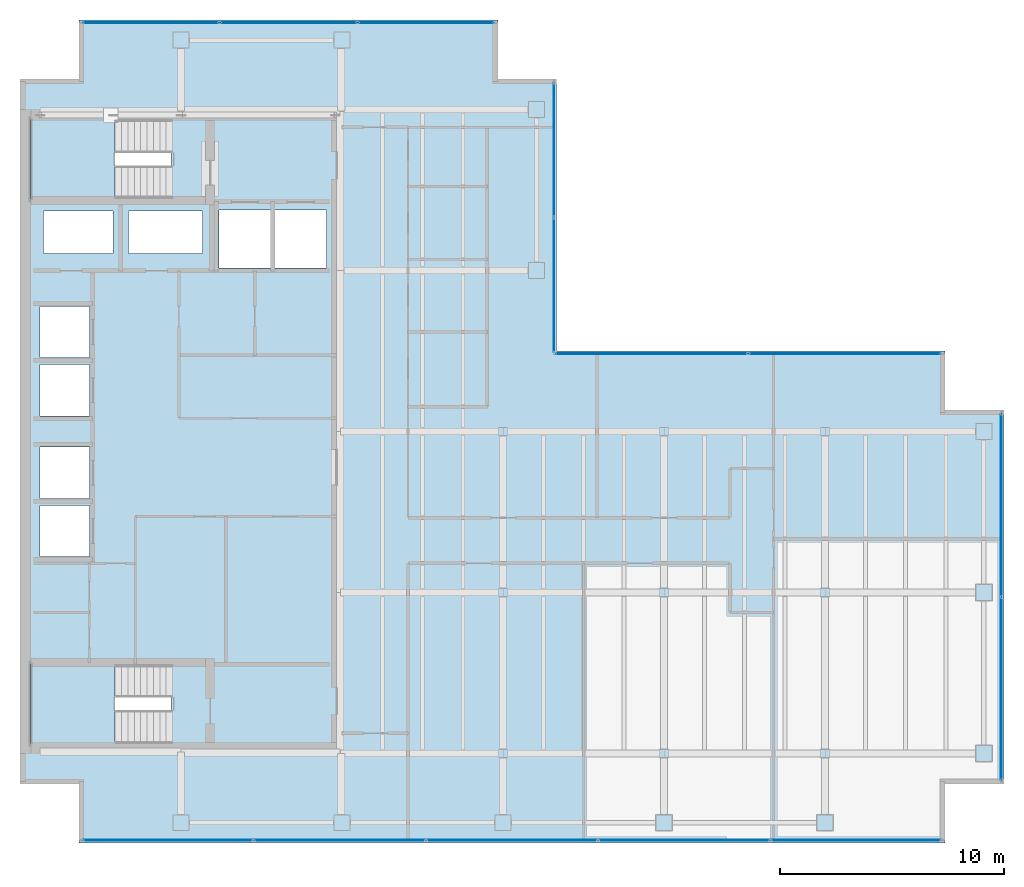
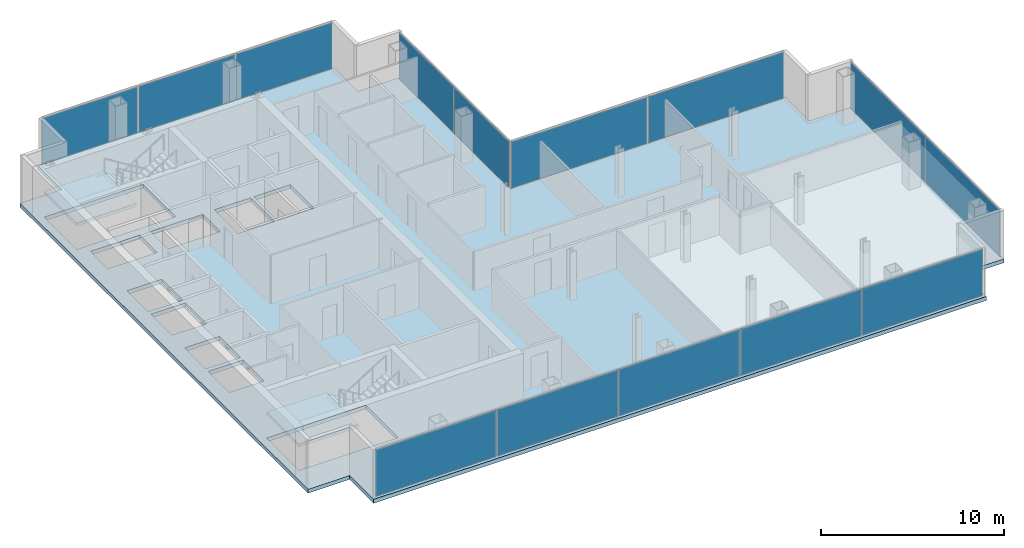
# One storey, part 19 of 23: 14 plates, 3 slabs, 10 openings, 7 elements without a shape of their own.
"""IFC4 building model written with IfcOpenShell, lengths in metres."""

import ifcopenshell
import ifcopenshell.guid

model = None  # the IFC model being written
_history = None  # IfcOwnerHistory: only IFC2X3 demands one
_inside = {}  # id of a spatial element -> (the spatial element, [elements in it])
_under = {}  # id of a project, library or spatial element -> (it, [spatial elements below it])
_declared = {}  # id of a project -> (the project, [libraries it declares])
_typed = {}  # id of a type object -> (the type object, [elements of that type])
_made_of = {}  # id of a material, layer set ... -> (it, [elements and type objects made of it])


def new_model(schema):
    """Start an empty IFC model of exactly this schema.

    Asked for "IFC4X3", IfcOpenShell would pick the latest addendum, in which some entities
    have other attributes; the version numbers below select the first issue.
    IFC2X3 requires an IfcOwnerHistory on every rooted entity: one is made here for all.
    """
    global model, _history
    if schema == "IFC4X3":
        model = ifcopenshell.file(schema_version=(4, 3, 0, 0))
    else:
        model = ifcopenshell.file(schema=schema)
    _inside.clear()
    _under.clear()
    _declared.clear()
    _typed.clear()
    _made_of.clear()
    _history = None
    if model.schema == "IFC2X3":
        org = make("IfcOrganization", Name="unknown")
        user = make(
            "IfcPersonAndOrganization",
            ThePerson=make("IfcPerson", FamilyName="unknown"),
            TheOrganization=org,
        )
        app = make(
            "IfcApplication",
            ApplicationDeveloper=org,
            Version="unknown",
            ApplicationFullName="unknown",
            ApplicationIdentifier="unknown",
        )
        _history = make(
            "IfcOwnerHistory",
            OwningUser=user,
            OwningApplication=app,
            ChangeAction="ADDED",
            CreationDate=0,
        )
    return model


def make(cls, **values):
    """One entity of the class cls with the attributes given. An attribute that is None is left unset."""
    return model.create_entity(
        cls, **{name: value for name, value in values.items() if value is not None}
    )


def rooted(cls, **values):
    """An entity with a GlobalId (a new one), such as an element, a storey or a relation."""
    return make(cls, GlobalId=ifcopenshell.guid.new(), OwnerHistory=_history, **values)


def si_unit(unit_type, name, prefix=None):
    """IfcSIUnit, for example si_unit("LENGTHUNIT", "METRE", prefix="MILLI")."""
    return make("IfcSIUnit", UnitType=unit_type, Prefix=prefix, Name=name)


def assignment(units):
    """IfcUnitAssignment: the units of a project."""
    return None if units is None else make("IfcUnitAssignment", Units=units)


def point(xyz):
    """IfcCartesianPoint."""
    return None if xyz is None else make("IfcCartesianPoint", Coordinates=xyz)


def direction(xyz):
    """IfcDirection."""
    return None if xyz is None else make("IfcDirection", DirectionRatios=xyz)


def frame(location, z_axis=None, x_axis=None):
    """IfcAxis2Placement3D, a coordinate frame: its origin and axes. An axis left out is left unset."""
    return make(
        "IfcAxis2Placement3D",
        Location=point(location),
        Axis=direction(z_axis),
        RefDirection=direction(x_axis),
    )


def frame_2d(location, x_axis=None):
    """IfcAxis2Placement2D, a coordinate frame in the plane: its origin and x axis."""
    return make(
        "IfcAxis2Placement2D", Location=point(location), RefDirection=direction(x_axis)
    )


def origin():
    """The frame at (0, 0, 0) with its axes left unset."""
    return frame((0.0, 0.0, 0.0))


def origin_2d():
    """The frame at (0, 0) in the plane with its x axis left unset."""
    return frame_2d((0.0, 0.0))


def place(relative_to, where):
    """IfcLocalPlacement: puts the frame where relative to a parent placement (None: the world)."""
    return make(
        "IfcLocalPlacement", PlacementRelTo=relative_to, RelativePlacement=where
    )


def context(
    kind, dimensions, precision=None, world=None, true_north=None, identifier=None
):
    """IfcGeometricRepresentationContext, for example the 3D "Model" context."""
    return make(
        "IfcGeometricRepresentationContext",
        ContextIdentifier=identifier,
        ContextType=kind,
        CoordinateSpaceDimension=dimensions,
        Precision=precision,
        WorldCoordinateSystem=world,
        TrueNorth=true_north,
    )


def subcontext(parent, identifier, kind, view, scale=None):
    """IfcGeometricRepresentationSubContext, for example "Body" below "Model"."""
    return make(
        "IfcGeometricRepresentationSubContext",
        ContextIdentifier=identifier,
        ContextType=kind,
        ParentContext=parent,
        TargetScale=scale,
        TargetView=view,
    )


def project(units=None, contexts=None):
    """IfcProject with its units and contexts."""
    return rooted(
        "IfcProject",
        Name="project",
        RepresentationContexts=contexts,
        UnitsInContext=assignment(units),
    )


def spatial(cls, under=None, at=None, **own):
    """A site, building, storey or space (cls), placed at a placement, below another one or the project."""
    s = rooted(cls, ObjectPlacement=at, **own)
    if under is not None:
        _under.setdefault(under.id(), (under, []))[1].append(s)
    return s


def polyline(points):
    """IfcPolyline through the points."""
    return make("IfcPolyline", Points=[point(p) for p in points])


def profile(cls, at=None, kind="AREA", **sizes):
    """A parametric profile (cls). Its sizes go by their IFC names, for example OverallWidth=200.0."""
    return make(cls, ProfileType=kind, Position=at, **sizes)


def rectangle(**sizes):
    """IfcRectangleProfileDef."""
    return profile("IfcRectangleProfileDef", **sizes)


def outline(outer, holes=None, kind="AREA"):
    """IfcArbitraryClosedProfileDef: a profile drawn as a closed curve; with holes, ...WithVoids."""
    if holes is None:
        return make("IfcArbitraryClosedProfileDef", ProfileType=kind, OuterCurve=outer)
    return make(
        "IfcArbitraryProfileDefWithVoids",
        ProfileType=kind,
        OuterCurve=outer,
        InnerCurves=holes,
    )


def extrude(swept, where, along, depth):
    """IfcExtrudedAreaSolid: the profile swept, set in the frame where, extruded along a direction by depth."""
    return make(
        "IfcExtrudedAreaSolid",
        SweptArea=swept,
        Position=where,
        ExtrudedDirection=direction(along),
        Depth=depth,
    )


def shape(context_of_items, identifier, shape_type, items):
    """IfcShapeRepresentation: the items that make up one representation, for example the "Body"."""
    return make(
        "IfcShapeRepresentation",
        ContextOfItems=context_of_items,
        RepresentationIdentifier=identifier,
        RepresentationType=shape_type,
        Items=items,
    )


def material(Name=None, Category=None):
    """IfcMaterial."""
    return make("IfcMaterial", Name=Name, Category=Category)


def layer(
    of_material, thickness, ventilated=None, Name=None, Category=None, Priority=None
):
    """IfcMaterialLayer: one layer of a wall or slab, of a material (None: an air gap)."""
    return make(
        "IfcMaterialLayer",
        Material=of_material,
        LayerThickness=thickness,
        IsVentilated=ventilated,
        Name=Name,
        Category=Category,
        Priority=Priority,
    )


def layer_set(layers, Name=None):
    """IfcMaterialLayerSet."""
    return make("IfcMaterialLayerSet", MaterialLayers=layers, LayerSetName=Name)


def made_of(thing, what):
    """Note that an element or type object is made of a material, layer set ...; save() writes the relation."""
    if what is not None:
        _made_of.setdefault(what.id(), (what, []))[1].append(thing)
    return thing


def type_object(cls, material=None, **own):
    """A type object (cls), such as IfcWallType, which elements share."""
    return made_of(rooted(cls, **own), material)


def element(
    cls,
    number,
    at=None,
    inside=None,
    cuts=None,
    type_object=None,
    material=None,
    context=None,
    identifier="Body",
    shape_type=None,
    held_by="IfcProductDefinitionShape",
    body=None,
    shapes=None,
    **own,
):
    """One element of the class cls, such as IfcWall. Its Tag is "e" and its number.

    at: its placement. inside: the storey or other place that contains it. cuts: it is an
    opening in that element (IfcRelVoidsElement). A single representation is given by context,
    identifier, shape_type and body (its items); several are given by shapes. held_by: the class
    of the entity that holds the representations. save() writes the other relations.
    """
    e = rooted(cls, Tag="e%d" % number, ObjectPlacement=at, **own)
    if body is not None:
        shapes = [shape(context, identifier, shape_type, body)]
    if shapes is not None:
        e.Representation = make(held_by, Representations=shapes)
    if inside is not None:
        _inside.setdefault(inside.id(), (inside, []))[1].append(e)
    if cuts is not None:
        rooted(
            "IfcRelVoidsElement", RelatingBuildingElement=cuts, RelatedOpeningElement=e
        )
    if type_object is not None:
        _typed.setdefault(type_object.id(), (type_object, []))[1].append(e)
    return made_of(e, material)


def aggregate(whole, parts):
    """IfcRelAggregates: a whole, such as a stair, and the parts it consists of."""
    return rooted("IfcRelAggregates", RelatingObject=whole, RelatedObjects=parts)


def save(model, path):
    """Write the relations noted so far, then the file.

    IfcRelAggregates (storeys below a building ...), IfcRelContainedInSpatialStructure (elements
    in a storey), IfcRelDefinesByType, IfcRelAssociatesMaterial and IfcRelDeclares: one each for
    every whole, place, type object, material and project.
    """
    for whole, parts in _under.values():
        aggregate(whole, parts)
    for where, things in _inside.values():
        rooted(
            "IfcRelContainedInSpatialStructure",
            RelatedElements=things,
            RelatingStructure=where,
        )
    for kind, things in _typed.values():
        rooted("IfcRelDefinesByType", RelatedObjects=things, RelatingType=kind)
    for what, things in _made_of.values():
        rooted("IfcRelAssociatesMaterial", RelatedObjects=things, RelatingMaterial=what)
    for by, libraries in _declared.values():
        rooted("IfcRelDeclares", RelatingContext=by, RelatedDefinitions=libraries)
    model.write(path)


model = new_model("IFC4")

# Units and contexts
model_context = context("Model", 3, precision=1e-05, world=origin(), true_north=direction((0.0, 1.0)))
body_context = subcontext(model_context, "Body", "Model", "MODEL_VIEW")
ifc_project = project(units=[si_unit("LENGTHUNIT", "METRE"), si_unit("AREAUNIT", "SQUARE_METRE"), si_unit("VOLUMEUNIT", "CUBIC_METRE"), si_unit("PLANEANGLEUNIT", "RADIAN"), si_unit("MASSUNIT", "GRAM", prefix="KILO")], contexts=[model_context])

# Site, building, storey
site_placement = place(None, origin())
site = spatial("IfcSite", under=ifc_project, at=site_placement, CompositionType="ELEMENT")
building_placement = place(site_placement, origin())
building = spatial("IfcBuilding", under=site, at=building_placement, Name="Cobrela Telecom Tower", CompositionType="ELEMENT")
storey_placement = place(building_placement, frame((0.0, 0.0, 208.25)))
storey = spatial("IfcBuildingStorey", under=building, at=storey_placement, Name="L53", CompositionType="ELEMENT", Elevation=208.25)

# Curtain wall, plates
ifc_material_1 = material(Name="Anodized Bronze Aluminium 6063-T6", Category="aluminium")
curtain_wall_type = type_object("IfcCurtainWallType", Name="CW-SYS-OFF-LO", PredefinedType="USERDEFINED", material=ifc_material_1)
curtain_wall_1_placement = place(storey_placement, origin())
curtain_wall_1 = element("IfcCurtainWall", 1, at=curtain_wall_1_placement, inside=storey, type_object=curtain_wall_type, Name="L53 Unitised Bronze Curtain Wall 07", ObjectType="UNITISED CURTAIN WALL", PredefinedType="USERDEFINED")
ifc_material_2 = material(Name="Solar-Control Bronze Low-E Glass", Category="glass")
ifc_layer_1 = layer(ifc_material_2, 0.031982421875)
ifc_layer_set_1 = layer_set([ifc_layer_1], Name="Solar-Control Bronze Low-E Glass")
plate_type = type_object("IfcPlateType", Name="CW-SYS-OFF-LO-PNL", PredefinedType="CURTAIN_PANEL", material=ifc_layer_set_1)
plate_1_placement = place(storey_placement, frame((5.850830078125, 39.8798828125, 0.070068359375), z_axis=(0.0, 0.0, 1.0), x_axis=(1.0, 0.0, 0.0)))
plate_1 = element("IfcPlate", 2, at=plate_1_placement, type_object=plate_type, Name="CW-OFF-LO panel 1.1", PredefinedType="CURTAIN_PANEL", context=body_context, shape_type="SweptSolid", body=[
    extrude(rectangle(XDim=6.061767578125, YDim=0.031982421875, at=origin_2d()), origin(), (0.0, 0.0, 1.0), 3.10009765625),
])
plate_2_placement = place(storey_placement, frame((12.0, 39.8798828125, 0.070068359375), z_axis=(0.0, 0.0, 1.0), x_axis=(1.0, 0.0, 0.0)))
plate_2 = element("IfcPlate", 3, at=plate_2_placement, type_object=plate_type, Name="CW-OFF-LO panel 2.1", PredefinedType="CURTAIN_PANEL", context=body_context, shape_type="SweptSolid", body=[
    extrude(rectangle(XDim=6.0966796875, YDim=0.031982421875, at=origin_2d()), origin(), (0.0, 0.0, 1.0), 3.10009765625),
])
plate_3_placement = place(storey_placement, frame((18.149169921875, 39.8798828125, 0.070068359375), z_axis=(0.0, 0.0, 1.0), x_axis=(1.0, 0.0, 0.0)))
plate_3 = element("IfcPlate", 4, at=plate_3_placement, type_object=plate_type, Name="CW-OFF-LO panel 3.1", PredefinedType="CURTAIN_PANEL", context=body_context, shape_type="SweptSolid", body=[
    extrude(rectangle(XDim=6.061767578125, YDim=0.031982421875, at=origin_2d()), origin(), (0.0, 0.0, 1.0), 3.10009765625),
])
aggregate(curtain_wall_1, [plate_1, plate_2, plate_3])

curtain_wall_2_placement = place(storey_placement, origin())
curtain_wall_2 = element("IfcCurtainWall", 5, at=curtain_wall_2_placement, inside=storey, type_object=curtain_wall_type, Name="L53 Unitised Bronze Curtain Wall 10", ObjectType="UNITISED CURTAIN WALL", PredefinedType="USERDEFINED")
plate_4_placement = place(storey_placement, frame((23.8798828125, 34.18994140625, 0.070068359375), z_axis=(0.0, 0.0, 1.0), x_axis=(0.0, -1.0, 0.0)))
plate_4 = element("IfcPlate", 6, at=plate_4_placement, type_object=plate_type, Name="CW-OFF-LO panel 1.1", PredefinedType="CURTAIN_PANEL", context=body_context, shape_type="SweptSolid", body=[
    extrude(rectangle(XDim=5.97998046875, YDim=0.031982421875, at=origin_2d()), origin(), (0.0, 0.0, 1.0), 3.10009765625),
])
plate_5_placement = place(storey_placement, frame((23.8798828125, 28.139892578125, 0.070068359375), z_axis=(0.0, 0.0, 1.0), x_axis=(0.0, -1.0, 0.0)))
plate_5 = element("IfcPlate", 7, at=plate_5_placement, type_object=plate_type, Name="CW-OFF-LO panel 2.1", PredefinedType="CURTAIN_PANEL", context=body_context, shape_type="SweptSolid", body=[
    extrude(rectangle(XDim=5.97998046875, YDim=0.031982421875, at=origin_2d()), origin(), (0.0, 0.0, 1.0), 3.10009765625),
])
aggregate(curtain_wall_2, [plate_4, plate_5])

curtain_wall_3_placement = place(storey_placement, origin())
curtain_wall_3 = element("IfcCurtainWall", 8, at=curtain_wall_3_placement, inside=storey, type_object=curtain_wall_type, Name="L53 Unitised Bronze Curtain Wall 11", ObjectType="UNITISED CURTAIN WALL", PredefinedType="USERDEFINED")
plate_6_placement = place(storey_placement, frame((28.239990234375, 25.080078125, 0.070068359375), z_axis=(0.0, 0.0, 1.0), x_axis=(1.0, 0.0, 0.0)))
plate_6 = element("IfcPlate", 9, at=plate_6_placement, type_object=plate_type, Name="CW-OFF-LO panel 1.1", PredefinedType="CURTAIN_PANEL", context=body_context, shape_type="SweptSolid", body=[
    extrude(rectangle(XDim=8.580078125, YDim=0.031982421875, at=origin_2d()), origin(), (0.0, 0.0, 1.0), 3.10009765625),
])
plate_7_placement = place(storey_placement, frame((36.889892578125, 25.080078125, 0.070068359375), z_axis=(0.0, 0.0, 1.0), x_axis=(1.0, 0.0, 0.0)))
plate_7 = element("IfcPlate", 10, at=plate_7_placement, type_object=plate_type, Name="CW-OFF-LO panel 2.1", PredefinedType="CURTAIN_PANEL", context=body_context, shape_type="SweptSolid", body=[
    extrude(rectangle(XDim=8.580078125, YDim=0.031982421875, at=origin_2d()), origin(), (0.0, 0.0, 1.0), 3.10009765625),
])
aggregate(curtain_wall_3, [plate_6, plate_7])

curtain_wall_4_placement = place(storey_placement, origin())
curtain_wall_4 = element("IfcCurtainWall", 11, at=curtain_wall_4_placement, inside=storey, type_object=curtain_wall_type, Name="L53 Unitised Bronze Curtain Wall 14", ObjectType="UNITISED CURTAIN WALL", PredefinedType="USERDEFINED")
plate_8_placement = place(storey_placement, frame((43.8798828125, 18.3076171875, 0.070068359375), z_axis=(0.0, 0.0, 1.0), x_axis=(0.0, -1.0, 0.0)))
plate_8 = element("IfcPlate", 12, at=plate_8_placement, type_object=plate_type, Name="CW-OFF-LO panel 1.1", PredefinedType="CURTAIN_PANEL", context=body_context, shape_type="SweptSolid", body=[
    extrude(rectangle(XDim=8.14501953125, YDim=0.031982421875, at=origin_2d()), origin(), (0.0, 0.0, 1.0), 3.10009765625),
])
plate_9_placement = place(storey_placement, frame((43.8798828125, 10.092529296875, 0.070068359375), z_axis=(0.0, 0.0, 1.0), x_axis=(0.0, -1.0, 0.0)))
plate_9 = element("IfcPlate", 13, at=plate_9_placement, type_object=plate_type, Name="CW-OFF-LO panel 2.1", PredefinedType="CURTAIN_PANEL", context=body_context, shape_type="SweptSolid", body=[
    extrude(rectangle(XDim=8.14501953125, YDim=0.031982421875, at=origin_2d()), origin(), (0.0, 0.0, 1.0), 3.10009765625),
])
aggregate(curtain_wall_4, [plate_8, plate_9])

curtain_wall_5_placement = place(storey_placement, origin())
curtain_wall_5 = element("IfcCurtainWall", 14, at=curtain_wall_5_placement, inside=storey, type_object=curtain_wall_type, Name="L53 Unitised Bronze Curtain Wall 17", ObjectType="UNITISED CURTAIN WALL", PredefinedType="USERDEFINED")
plate_10_placement = place(storey_placement, frame((37.382568359375, 3.320068359375, 0.070068359375), z_axis=(0.0, 0.0, 1.0), x_axis=(-1.0, 0.0, 0.0)))
plate_10 = element("IfcPlate", 15, at=plate_10_placement, type_object=plate_type, Name="CW-OFF-LO panel 1.1", PredefinedType="CURTAIN_PANEL", context=body_context, shape_type="SweptSolid", body=[
    extrude(rectangle(XDim=7.594970703125, YDim=0.031982421875, at=origin_2d()), origin(), (0.0, 0.0, 1.0), 3.10009765625),
])
plate_11_placement = place(storey_placement, frame((29.699951171875, 3.320068359375, 0.070068359375), z_axis=(0.0, 0.0, 1.0), x_axis=(-1.0, 0.0, 0.0)))
plate_11 = element("IfcPlate", 16, at=plate_11_placement, type_object=plate_type, Name="CW-OFF-LO panel 2.1", PredefinedType="CURTAIN_PANEL", context=body_context, shape_type="SweptSolid", body=[
    extrude(rectangle(XDim=7.6298828125, YDim=0.031982421875, at=origin_2d()), origin(), (0.0, 0.0, 1.0), 3.10009765625),
])
plate_12_placement = place(storey_placement, frame((22.0, 3.320068359375, 0.070068359375), z_axis=(0.0, 0.0, 1.0), x_axis=(-1.0, 0.0, 0.0)))
plate_12 = element("IfcPlate", 17, at=plate_12_placement, type_object=plate_type, Name="CW-OFF-LO panel 3.1", PredefinedType="CURTAIN_PANEL", context=body_context, shape_type="SweptSolid", body=[
    extrude(rectangle(XDim=7.6298828125, YDim=0.031982421875, at=origin_2d()), origin(), (0.0, 0.0, 1.0), 3.10009765625),
])
plate_13_placement = place(storey_placement, frame((14.300048828125, 3.320068359375, 0.070068359375), z_axis=(0.0, 0.0, 1.0), x_axis=(-1.0, 0.0, 0.0)))
plate_13 = element("IfcPlate", 18, at=plate_13_placement, type_object=plate_type, Name="CW-OFF-LO panel 4.1", PredefinedType="CURTAIN_PANEL", context=body_context, shape_type="SweptSolid", body=[
    extrude(rectangle(XDim=7.6298828125, YDim=0.031982421875, at=origin_2d()), origin(), (0.0, 0.0, 1.0), 3.10009765625),
])
plate_14_placement = place(storey_placement, frame((6.617431640625, 3.320068359375, 0.070068359375), z_axis=(0.0, 0.0, 1.0), x_axis=(-1.0, 0.0, 0.0)))
plate_14 = element("IfcPlate", 19, at=plate_14_placement, type_object=plate_type, Name="CW-OFF-LO panel 5.1", PredefinedType="CURTAIN_PANEL", context=body_context, shape_type="SweptSolid", body=[
    extrude(rectangle(XDim=7.594970703125, YDim=0.031982421875, at=origin_2d()), origin(), (0.0, 0.0, 1.0), 3.10009765625),
])
aggregate(curtain_wall_5, [plate_10, plate_11, plate_12, plate_13, plate_14])

# Slab, openings
ifc_material_3 = material(Name="Concrete C40/50", Category="concrete")
ifc_layer_2 = layer(ifc_material_3, 0.260009765625)
ifc_layer_set_2 = layer_set([ifc_layer_2], Name="Concrete C40/50")
slab_type_1 = type_object("IfcSlabType", Name="SLAB-FLR-260", PredefinedType="FLOOR", material=ifc_layer_set_2)
slab_1_placement = place(storey_placement, frame((0.0, 0.0, -0.260009765625)))
slab_1 = element("IfcSlab", 20, at=slab_1_placement, inside=storey, type_object=slab_type_1, Name="L53 Structural Floor Slab", PredefinedType="FLOOR", context=body_context, shape_type="SweptSolid", body=[
    extrude(outline(polyline([(2.6298828125, 3.199951171875), (41.3701171875, 3.199951171875), (41.3701171875, 5.830078125), (44.0, 5.830078125), (44.0, 22.570068359375), (41.3701171875, 22.570068359375), (41.3701171875, 25.199951171875), (24.0, 25.199951171875), (24.0, 37.3701171875), (21.3701171875, 37.3701171875), (21.3701171875, 40.0), (2.6298828125, 40.0), (2.6298828125, 37.3701171875), (0.0, 37.3701171875), (0.0, 5.830078125), (2.6298828125, 5.830078125), (2.6298828125, 3.199951171875)])), origin(), (0.0, 0.0, 1.0), 0.260009765625),
])
opening_1_placement = place(slab_1_placement, frame((0.0, 0.0, -0.02001953125)))
element("IfcOpeningElement", 21, at=opening_1_placement, cuts=slab_1, Name="Slab Shaft Opening SLAB-L53-MAIN.1", PredefinedType="OPENING", context=body_context, shape_type="SweptSolid", body=[
    extrude(outline(polyline([(8.89990234375, 28.89990234375), (11.199951171875, 28.89990234375), (11.199951171875, 31.5), (8.89990234375, 31.5), (8.89990234375, 28.89990234375)])), origin(), (0.0, 0.0, 1.0), 0.300048828125),
])
opening_2_placement = place(slab_1_placement, frame((0.0, 0.0, -0.02001953125)))
element("IfcOpeningElement", 22, at=opening_2_placement, cuts=slab_1, Name="Slab Shaft Opening SLAB-L53-MAIN.2", PredefinedType="OPENING", context=body_context, shape_type="SweptSolid", body=[
    extrude(outline(polyline([(11.39990234375, 28.89990234375), (13.699951171875, 28.89990234375), (13.699951171875, 31.5), (11.39990234375, 31.5), (11.39990234375, 28.89990234375)])), origin(), (0.0, 0.0, 1.0), 0.300048828125),
])
opening_3_placement = place(slab_1_placement, frame((0.0, 0.0, -0.02001953125)))
element("IfcOpeningElement", 23, at=opening_3_placement, cuts=slab_1, Name="Slab Shaft Opening SLAB-L53-MAIN.3", PredefinedType="OPENING", context=body_context, shape_type="SweptSolid", body=[
    extrude(outline(polyline([(0.89990234375, 16.0), (3.10009765625, 16.0), (3.10009765625, 18.300048828125), (0.89990234375, 18.300048828125), (0.89990234375, 16.0)])), origin(), (0.0, 0.0, 1.0), 0.300048828125),
])
opening_4_placement = place(slab_1_placement, frame((0.0, 0.0, -0.02001953125)))
element("IfcOpeningElement", 24, at=opening_4_placement, cuts=slab_1, Name="Slab Shaft Opening SLAB-L53-MAIN.4", PredefinedType="OPENING", context=body_context, shape_type="SweptSolid", body=[
    extrude(outline(polyline([(0.89990234375, 18.60009765625), (3.10009765625, 18.60009765625), (3.10009765625, 20.89990234375), (0.89990234375, 20.89990234375), (0.89990234375, 18.60009765625)])), origin(), (0.0, 0.0, 1.0), 0.300048828125),
])
opening_5_placement = place(slab_1_placement, frame((0.0, 0.0, -0.02001953125)))
element("IfcOpeningElement", 25, at=opening_5_placement, cuts=slab_1, Name="Slab Shaft Opening SLAB-L53-MAIN.5", PredefinedType="OPENING", context=body_context, shape_type="SweptSolid", body=[
    extrude(outline(polyline([(0.89990234375, 22.300048828125), (3.10009765625, 22.300048828125), (3.10009765625, 24.60009765625), (0.89990234375, 24.60009765625), (0.89990234375, 22.300048828125)])), origin(), (0.0, 0.0, 1.0), 0.300048828125),
])
opening_6_placement = place(slab_1_placement, frame((0.0, 0.0, -0.02001953125)))
element("IfcOpeningElement", 26, at=opening_6_placement, cuts=slab_1, Name="Slab Shaft Opening SLAB-L53-MAIN.6", PredefinedType="OPENING", context=body_context, shape_type="SweptSolid", body=[
    extrude(outline(polyline([(0.89990234375, 24.89990234375), (3.10009765625, 24.89990234375), (3.10009765625, 27.199951171875), (0.89990234375, 27.199951171875), (0.89990234375, 24.89990234375)])), origin(), (0.0, 0.0, 1.0), 0.300048828125),
])
opening_7_placement = place(slab_1_placement, frame((0.0, 0.0, -0.02001953125)))
element("IfcOpeningElement", 27, at=opening_7_placement, cuts=slab_1, Name="Slab Shaft Opening SLAB-L53-MAIN.7", PredefinedType="OPENING", context=body_context, shape_type="SweptSolid", body=[
    extrude(outline(polyline([(1.050048828125, 29.550048828125), (4.14990234375, 29.550048828125), (4.14990234375, 31.449951171875), (1.050048828125, 31.449951171875), (1.050048828125, 29.550048828125)])), origin(), (0.0, 0.0, 1.0), 0.300048828125),
])
opening_8_placement = place(slab_1_placement, frame((0.0, 0.0, -0.02001953125)))
element("IfcOpeningElement", 28, at=opening_8_placement, cuts=slab_1, Name="Slab Shaft Opening SLAB-L53-MAIN.8", PredefinedType="OPENING", context=body_context, shape_type="SweptSolid", body=[
    extrude(outline(polyline([(4.85009765625, 29.550048828125), (8.14990234375, 29.550048828125), (8.14990234375, 31.449951171875), (4.85009765625, 31.449951171875), (4.85009765625, 29.550048828125)])), origin(), (0.0, 0.0, 1.0), 0.300048828125),
])
opening_9_placement = place(slab_1_placement, frame((0.0, 0.0, -0.02001953125)))
element("IfcOpeningElement", 29, at=opening_9_placement, cuts=slab_1, Name="Slab Shaft Opening SLAB-L53-MAIN.9", PredefinedType="OPENING", context=body_context, shape_type="SweptSolid", body=[
    extrude(outline(polyline([(6.7548828125, 35.550048828125), (0.47998046875, 35.550048828125), (0.47998046875, 32.0), (6.7548828125, 32.0), (6.7548828125, 35.550048828125)])), origin(), (0.0, 0.0, 1.0), 0.300048828125),
])
opening_10_placement = place(slab_1_placement, frame((0.0, 0.0, -0.02001953125)))
element("IfcOpeningElement", 30, at=opening_10_placement, cuts=slab_1, Name="Slab Shaft Opening SLAB-L53-MAIN.10", PredefinedType="OPENING", context=body_context, shape_type="SweptSolid", body=[
    extrude(outline(polyline([(6.7548828125, 11.199951171875), (0.47998046875, 11.199951171875), (0.47998046875, 7.64990234375), (6.7548828125, 7.64990234375), (6.7548828125, 11.199951171875)])), origin(), (0.0, 0.0, 1.0), 0.300048828125),
])

# Stair, slab
stair_type = type_object("IfcStairType", Name="STAIR-CORE", PredefinedType="HALF_TURN_STAIR", material=ifc_material_3)
stair_1_placement = place(storey_placement, origin())
stair_1 = element("IfcStair", 31, at=stair_1_placement, inside=storey, type_object=stair_type, Name="L53 Smokeproof Exit Stair ST1", PredefinedType="HALF_TURN_STAIR")
ifc_layer_3 = layer(ifc_material_3, 0.199951171875)
ifc_layer_set_3 = layer_set([ifc_layer_3], Name="Concrete C40/50")
slab_type_2 = type_object("IfcSlabType", Name="SLAB-LAND-200", PredefinedType="LANDING", material=ifc_layer_set_3)
slab_2_placement = place(storey_placement, frame((0.0, 0.0, 1.550048828125)))
slab_2 = element("IfcSlab", 32, at=slab_2_placement, type_object=slab_type_2, Name="ST1 landing 1", PredefinedType="LANDING", context=body_context, shape_type="SweptSolid", body=[
    extrude(outline(polyline([(4.2548828125, 35.550048828125), (0.47998046875, 35.550048828125), (0.47998046875, 32.0), (4.2548828125, 32.0), (4.2548828125, 35.550048828125)])), origin(), (0.0, 0.0, 1.0), 0.199951171875),
])
aggregate(stair_1, [slab_2])

stair_2_placement = place(storey_placement, origin())
stair_2 = element("IfcStair", 33, at=stair_2_placement, inside=storey, type_object=stair_type, Name="L53 Smokeproof Exit Stair ST2", PredefinedType="HALF_TURN_STAIR")
slab_3_placement = place(storey_placement, frame((0.0, 0.0, 1.550048828125)))
slab_3 = element("IfcSlab", 34, at=slab_3_placement, type_object=slab_type_2, Name="ST2 landing 1", PredefinedType="LANDING", context=body_context, shape_type="SweptSolid", body=[
    extrude(outline(polyline([(4.2548828125, 11.199951171875), (0.47998046875, 11.199951171875), (0.47998046875, 7.64990234375), (4.2548828125, 7.64990234375), (4.2548828125, 11.199951171875)])), origin(), (0.0, 0.0, 1.0), 0.199951171875),
])
aggregate(stair_2, [slab_3])

save(model, "model.ifc")
